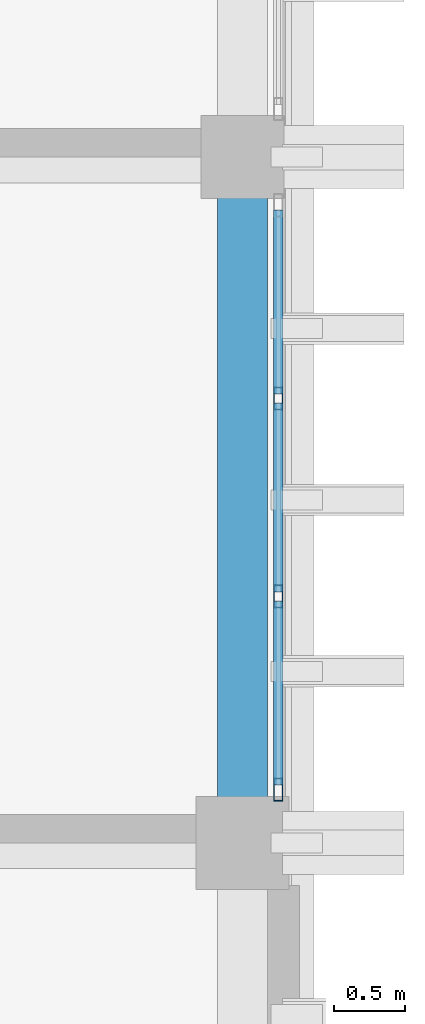
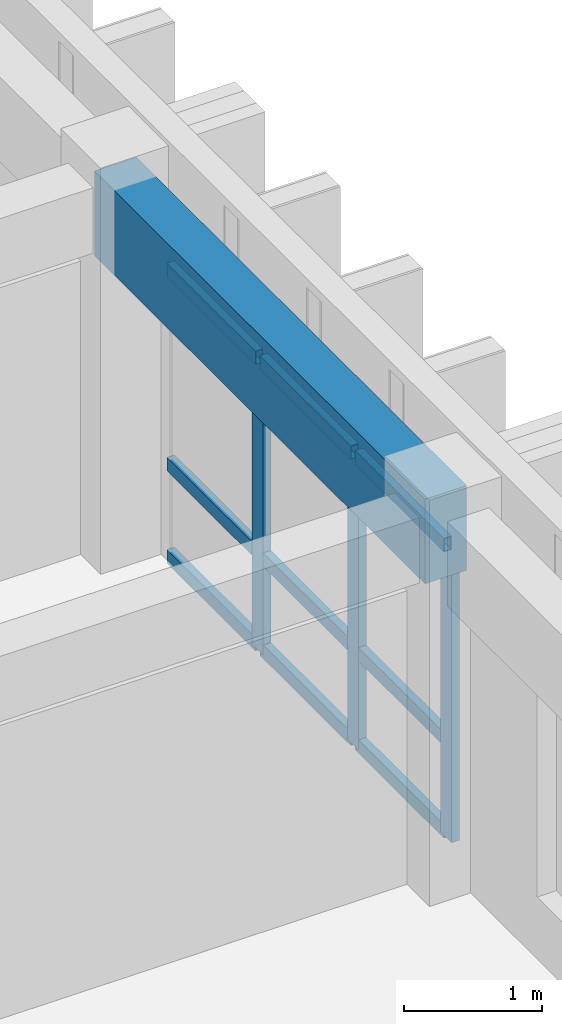
# One storey, part 34 of 49: 12 members, 1 beam, 1 element without a shape of its own.
"""IFC4 building model written with IfcOpenShell, lengths in metres."""

from ifc_helpers import new_model, si_unit, direction, frame, origin, origin_2d, place, context, subcontext, project, spatial, rectangle, hollow_rectangle, extrude, material, layer, layer_set, material_profile, profile_set, type_object, element, aggregate, save


model = new_model("IFC4")

# Units and contexts
model_context = context("Model", 3, precision=1e-05, world=origin(), true_north=direction((0.0, 1.0)))
body_context = subcontext(model_context, "Body", "Model", "MODEL_VIEW")
ifc_project = project(units=[si_unit("LENGTHUNIT", "METRE"), si_unit("AREAUNIT", "SQUARE_METRE"), si_unit("VOLUMEUNIT", "CUBIC_METRE"), si_unit("PLANEANGLEUNIT", "RADIAN"), si_unit("MASSUNIT", "GRAM", prefix="KILO")], contexts=[model_context])

# Site, building, storey
site_placement = place(None, origin())
site = spatial("IfcSite", under=ifc_project, at=site_placement, CompositionType="ELEMENT")
building_placement = place(site_placement, origin())
building = spatial("IfcBuilding", under=site, at=building_placement, Name="Nakhvara Creek Congress Hotel", CompositionType="ELEMENT")
storey_placement = place(building_placement, frame((0.0, 0.0, 39.0)))
storey = spatial("IfcBuildingStorey", under=building, at=storey_placement, Name="L09", CompositionType="ELEMENT", Elevation=39.0)

# Beam
ifc_material_1 = material(Name="Concrete C40/50", Category="concrete")
ifc_material_profile_1 = material_profile(ifc_material_1, rectangle(XDim=0.35009765625, YDim=0.75, at=origin_2d()), Name="RC-SPANDREL 350x750", Category="LoadBearing")
ifc_profile_set_1 = profile_set([ifc_material_profile_1], Name="Concrete C40/50")
beam_type = type_object("IfcBeamType", Name="BM-SPN-350X750", PredefinedType="SPANDREL", material=ifc_profile_set_1)
beam_placement = place(storey_placement, frame((179.35009765625, 115.199951171875, 2.985107421875), z_axis=(0.0, 1.0, 0.0), x_axis=(-1.0, 0.0, 0.0)))
element("IfcBeam", 1, at=beam_placement, inside=storey, type_object=beam_type, Name="Beam SP1-L09-2609", PredefinedType="SPANDREL", context=body_context, shape_type="SweptSolid", body=[
    extrude(rectangle(XDim=0.35009765625, YDim=0.75, at=origin_2d()), origin(), (0.0, 0.0, 1.0), 4.800048828125),
])

# Curtain wall, members
ifc_material_2 = material(Name="Bronze-anodised aluminium AW-6063-T6 and double-silver low-E glass", Category="aluminium")
ifc_layer = layer(ifc_material_2, 0.199951171875)
ifc_layer_set = layer_set([ifc_layer], Name="Bronze-anodised aluminium AW-6063-T6 and double-silver low-E glass")
curtain_wall_type = type_object("IfcCurtainWallType", Name="CW-HTL-UNIT", PredefinedType="USERDEFINED", material=ifc_layer_set)
curtain_wall_placement = place(storey_placement, origin())
curtain_wall = element("IfcCurtainWall", 2, at=curtain_wall_placement, inside=storey, type_object=curtain_wall_type, Name="Curtain Wall CW311", ObjectType="UNITISED", PredefinedType="USERDEFINED")
ifc_material_3 = material(Name="Bronze-anodised aluminium AW-6063-T6", Category="aluminium")
ifc_material_profile_2 = material_profile(ifc_material_3, hollow_rectangle(XDim=0.06494140625, YDim=0.159912109375, WallThickness=0.00390625, at=origin_2d()), Name="ALU-MULL 65x160x4", Category="LoadBearing")
ifc_profile_set_2 = profile_set([ifc_material_profile_2], Name="Bronze-anodised aluminium AW-6063-T6")
member_type_1 = type_object("IfcMemberType", Name="CW-MULL-160", PredefinedType="MULLION", material=ifc_profile_set_2)
member_1_placement = place(storey_placement, frame((179.60009765625, 118.31005859375, 0.0), z_axis=(0.0, 0.0, 1.0), x_axis=(1.0, 0.0, 0.0)))
member_1 = element("IfcMember", 3, at=member_1_placement, type_object=member_type_1, Name="CW311 mullion 2", PredefinedType="MULLION", context=body_context, shape_type="SweptSolid", body=[
    extrude(hollow_rectangle(XDim=0.06494140625, YDim=0.159912109375, WallThickness=0.00390625, at=origin_2d()), origin(), (0.0, 0.0, 1.0), 2.60205078125),
])
member_2_placement = place(storey_placement, frame((179.60009765625, 116.925048828125, 0.0), z_axis=(0.0, 0.0, 1.0), x_axis=(1.0, 0.0, 0.0)))
member_2 = element("IfcMember", 4, at=member_2_placement, type_object=member_type_1, Name="CW311 mullion 3", PredefinedType="MULLION", context=body_context, shape_type="SweptSolid", body=[
    extrude(hollow_rectangle(XDim=0.06494140625, YDim=0.159912109375, WallThickness=0.00390625, at=origin_2d()), origin(), (0.0, 0.0, 1.0), 2.60205078125),
])
member_3_placement = place(storey_placement, frame((179.60009765625, 115.572509765625, 0.0), z_axis=(0.0, 0.0, 1.0), x_axis=(1.0, 0.0, 0.0)))
member_3 = element("IfcMember", 5, at=member_3_placement, type_object=member_type_1, Name="CW311 mullion 4", PredefinedType="MULLION", context=body_context, shape_type="SweptSolid", body=[
    extrude(hollow_rectangle(XDim=0.06494140625, YDim=0.159912109375, WallThickness=0.00390625, at=origin_2d()), origin(), (0.0, 0.0, 1.0), 2.60205078125),
])
ifc_material_profile_3 = material_profile(ifc_material_3, hollow_rectangle(XDim=0.06494140625, YDim=0.1201171875, WallThickness=0.00390625, at=origin_2d()), Name="ALU-TRAN 65x120x4", Category="LoadBearing")
ifc_profile_set_3 = profile_set([ifc_material_profile_3], Name="Bronze-anodised aluminium AW-6063-T6")
member_type_2 = type_object("IfcMemberType", Name="CW-TRAN-120", PredefinedType="USERDEFINED", material=ifc_profile_set_3)
member_4_placement = place(storey_placement, frame((179.60009765625, 119.6298828125, 0.032470703125), z_axis=(0.0, -1.0, 0.0), x_axis=(1.0, 0.0, 0.0)))
member_4 = element("IfcMember", 6, at=member_4_placement, type_object=member_type_2, Name="CW311 transom 1.1", ObjectType="TRANSOM", PredefinedType="USERDEFINED", context=body_context, shape_type="SweptSolid", body=[
    extrude(hollow_rectangle(XDim=0.06494140625, YDim=0.1201171875, WallThickness=0.00390625, at=origin_2d()), origin(), (0.0, 0.0, 1.0), 1.287353515625),
])
member_5_placement = place(storey_placement, frame((179.60009765625, 119.6298828125, 0.85009765625), z_axis=(0.0, -1.0, 0.0), x_axis=(1.0, 0.0, 0.0)))
member_5 = element("IfcMember", 7, at=member_5_placement, type_object=member_type_2, Name="CW311 transom 1.2", ObjectType="TRANSOM", PredefinedType="USERDEFINED", context=body_context, shape_type="SweptSolid", body=[
    extrude(hollow_rectangle(XDim=0.06494140625, YDim=0.1201171875, WallThickness=0.00390625, at=origin_2d()), origin(), (0.0, 0.0, 1.0), 1.287353515625),
])
member_6_placement = place(storey_placement, frame((179.60009765625, 119.6298828125, 2.569580078125), z_axis=(0.0, -1.0, 0.0), x_axis=(1.0, 0.0, 0.0)))
member_6 = element("IfcMember", 8, at=member_6_placement, type_object=member_type_2, Name="CW311 transom 1.3", ObjectType="TRANSOM", PredefinedType="USERDEFINED", context=body_context, shape_type="SweptSolid", body=[
    extrude(hollow_rectangle(XDim=0.06494140625, YDim=0.1201171875, WallThickness=0.00390625, at=origin_2d()), origin(), (0.0, 0.0, 1.0), 1.287353515625),
])
member_7_placement = place(storey_placement, frame((179.60009765625, 118.277587890625, 0.032470703125), z_axis=(0.0, -1.0, 0.0), x_axis=(1.0, 0.0, 0.0)))
member_7 = element("IfcMember", 9, at=member_7_placement, type_object=member_type_2, Name="CW311 transom 2.1", ObjectType="TRANSOM", PredefinedType="USERDEFINED", context=body_context, shape_type="SweptSolid", body=[
    extrude(hollow_rectangle(XDim=0.06494140625, YDim=0.1201171875, WallThickness=0.00390625, at=origin_2d()), origin(), (0.0, 0.0, 1.0), 1.320068359375),
])
member_8_placement = place(storey_placement, frame((179.60009765625, 118.277587890625, 0.85009765625), z_axis=(0.0, -1.0, 0.0), x_axis=(1.0, 0.0, 0.0)))
member_8 = element("IfcMember", 10, at=member_8_placement, type_object=member_type_2, Name="CW311 transom 2.2", ObjectType="TRANSOM", PredefinedType="USERDEFINED", context=body_context, shape_type="SweptSolid", body=[
    extrude(hollow_rectangle(XDim=0.06494140625, YDim=0.1201171875, WallThickness=0.00390625, at=origin_2d()), origin(), (0.0, 0.0, 1.0), 1.320068359375),
])
member_9_placement = place(storey_placement, frame((179.60009765625, 118.277587890625, 2.569580078125), z_axis=(0.0, -1.0, 0.0), x_axis=(1.0, 0.0, 0.0)))
member_9 = element("IfcMember", 11, at=member_9_placement, type_object=member_type_2, Name="CW311 transom 2.3", ObjectType="TRANSOM", PredefinedType="USERDEFINED", context=body_context, shape_type="SweptSolid", body=[
    extrude(hollow_rectangle(XDim=0.06494140625, YDim=0.1201171875, WallThickness=0.00390625, at=origin_2d()), origin(), (0.0, 0.0, 1.0), 1.320068359375),
])
member_10_placement = place(storey_placement, frame((179.60009765625, 116.892578125, 0.032470703125), z_axis=(0.0, -1.0, 0.0), x_axis=(1.0, 0.0, 0.0)))
member_10 = element("IfcMember", 12, at=member_10_placement, type_object=member_type_2, Name="CW311 transom 3.1", ObjectType="TRANSOM", PredefinedType="USERDEFINED", context=body_context, shape_type="SweptSolid", body=[
    extrude(hollow_rectangle(XDim=0.06494140625, YDim=0.1201171875, WallThickness=0.00390625, at=origin_2d()), origin(), (0.0, 0.0, 1.0), 1.28759765625),
])
member_11_placement = place(storey_placement, frame((179.60009765625, 116.892578125, 0.85009765625), z_axis=(0.0, -1.0, 0.0), x_axis=(1.0, 0.0, 0.0)))
member_11 = element("IfcMember", 13, at=member_11_placement, type_object=member_type_2, Name="CW311 transom 3.2", ObjectType="TRANSOM", PredefinedType="USERDEFINED", context=body_context, shape_type="SweptSolid", body=[
    extrude(hollow_rectangle(XDim=0.06494140625, YDim=0.1201171875, WallThickness=0.00390625, at=origin_2d()), origin(), (0.0, 0.0, 1.0), 1.28759765625),
])
member_12_placement = place(storey_placement, frame((179.60009765625, 116.892578125, 2.569580078125), z_axis=(0.0, -1.0, 0.0), x_axis=(1.0, 0.0, 0.0)))
member_12 = element("IfcMember", 14, at=member_12_placement, type_object=member_type_2, Name="CW311 transom 3.3", ObjectType="TRANSOM", PredefinedType="USERDEFINED", context=body_context, shape_type="SweptSolid", body=[
    extrude(hollow_rectangle(XDim=0.06494140625, YDim=0.1201171875, WallThickness=0.00390625, at=origin_2d()), origin(), (0.0, 0.0, 1.0), 1.28759765625),
])
aggregate(curtain_wall, [member_1, member_2, member_3, member_4, member_5, member_6, member_7, member_8, member_9, member_10, member_11, member_12])

save(model, "model.ifc")
